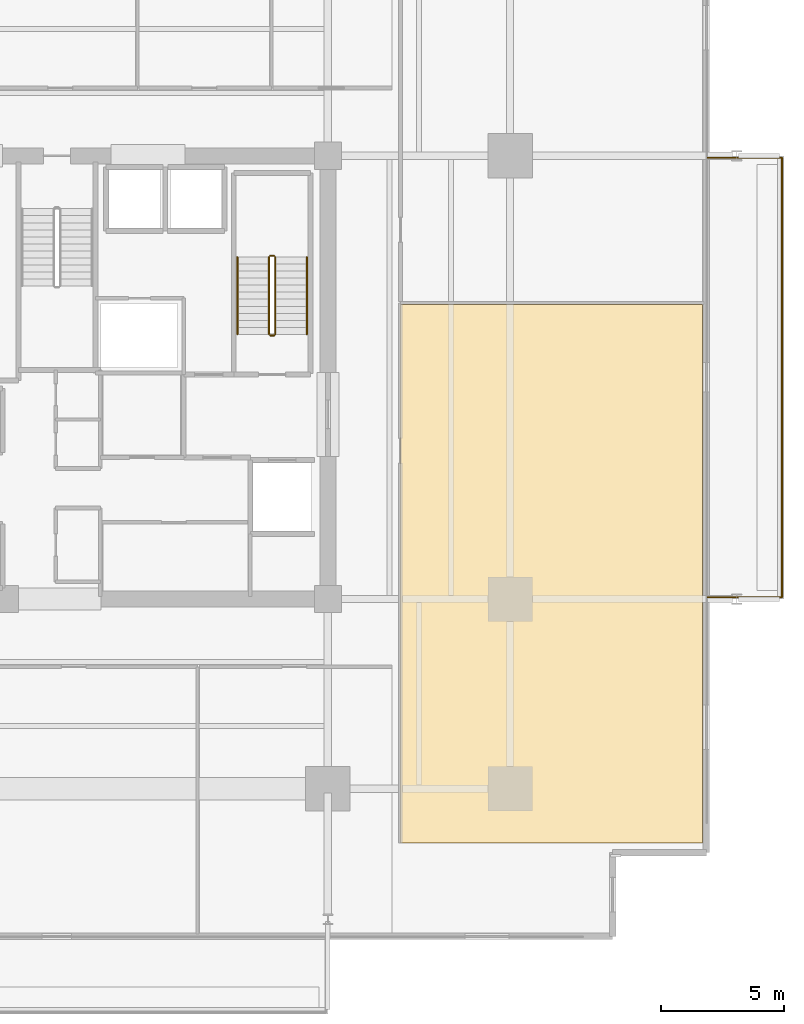
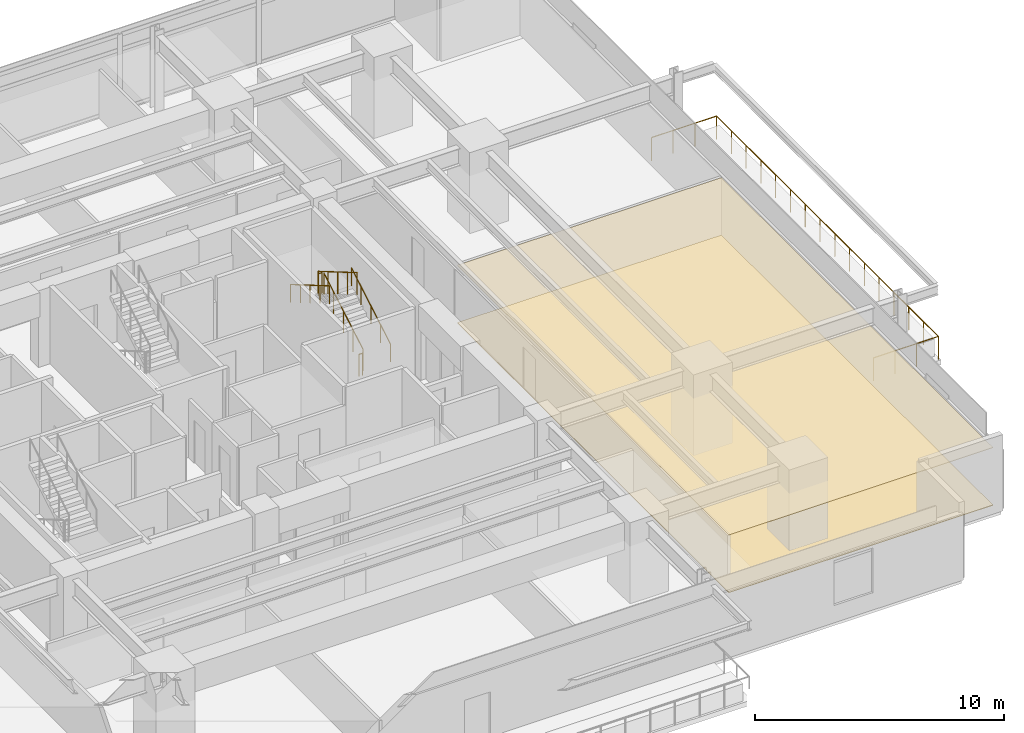
# One storey, part 21 of 23: 7 railings, 2 coverings.
"""IFC4 building model written with IfcOpenShell, lengths in metres."""

from ifc_helpers import new_model, si_unit, direction, frame, origin, origin_2d, place, context, subcontext, project, spatial, polyline, circle, outline, extrude, material, layer, layer_set, type_object, element, save


model = new_model("IFC4")

# Units and contexts
model_context = context("Model", 3, precision=1e-05, world=origin(), true_north=direction((0.0, 1.0)))
body_context = subcontext(model_context, "Body", "Model", "MODEL_VIEW")
ifc_project = project(units=[si_unit("LENGTHUNIT", "METRE"), si_unit("AREAUNIT", "SQUARE_METRE"), si_unit("VOLUMEUNIT", "CUBIC_METRE"), si_unit("PLANEANGLEUNIT", "RADIAN"), si_unit("MASSUNIT", "GRAM", prefix="KILO")], contexts=[model_context])

# Site, building, storey
site_placement = place(None, origin())
site = spatial("IfcSite", under=ifc_project, at=site_placement, CompositionType="ELEMENT")
building_placement = place(site_placement, origin())
building = spatial("IfcBuilding", under=site, at=building_placement, Name="Kovane Verandah Tower", CompositionType="ELEMENT")
storey_placement = place(building_placement, frame((0.0, 0.0, 91.60009765625)))
storey = spatial("IfcBuildingStorey", under=building, at=storey_placement, Name="L21", CompositionType="ELEMENT", Elevation=91.60009765625)

# Coverings
ifc_material_1 = material(Name="Perforated Acoustic Mineral-Fibre Ceiling Tile", Category="gypsum")
ifc_layer_1 = layer(ifc_material_1, 0.02490234375)
ifc_layer_set_1 = layer_set([ifc_layer_1], Name="Perforated Acoustic Mineral-Fibre Ceiling Tile")
covering_type_1 = type_object("IfcCoveringType", Name="CV-CEIL-25", PredefinedType="CEILING", material=ifc_layer_set_1)
covering_1_placement = place(storey_placement, frame((0.0, 0.0, 2.824951171875)))
element("IfcCovering", 1, at=covering_1_placement, inside=storey, type_object=covering_type_1, Name="L21 Document and Print Room E1 Acoustic Ceiling", PredefinedType="CEILING", context=body_context, shape_type="SweptSolid", body=[
    extrude(outline(polyline([(53.949951171875, 8.60498046875), (66.214111328125, 8.60498046875), (66.214111328125, 30.453125), (53.949951171875, 30.453125), (53.949951171875, 8.60498046875)])), origin(), (0.0, 0.0, 1.0), 0.02490234375),
])
ifc_material_2 = material(Name="Polished Terrazzo and Raised-Access Carpet Tile Finish", Category="concrete")
ifc_layer_2 = layer(ifc_material_2, 0.030029296875)
ifc_layer_set_2 = layer_set([ifc_layer_2], Name="Polished Terrazzo and Raised-Access Carpet Tile Finish")
covering_type_2 = type_object("IfcCoveringType", Name="CV-FLOR-30", PredefinedType="FLOORING", material=ifc_layer_set_2)
covering_2_placement = place(storey_placement, origin())
element("IfcCovering", 2, at=covering_2_placement, inside=storey, type_object=covering_type_2, Name="L21 Document and Print Room E1 Floor Finish", PredefinedType="FLOORING", context=body_context, shape_type="SweptSolid", body=[
    extrude(outline(polyline([(53.949951171875, 8.60498046875), (66.214111328125, 8.60498046875), (66.214111328125, 30.453125), (53.949951171875, 30.453125), (53.949951171875, 8.60498046875)])), origin(), (0.0, 0.0, 1.0), 0.02978515625),
])

# Railings
ifc_material_3 = material(Name="Laminated Glass and Pale-Champagne Stainless Balustrade", Category="glass")
railing_type_1 = type_object("IfcRailingType", Name="RL-BAL-1150", PredefinedType="BALUSTRADE", material=ifc_material_3)
railing_1_placement = place(storey_placement, frame((66.4140625, 18.580078125, 0.0)))
element("IfcRailing", 3, at=railing_1_placement, inside=storey, type_object=railing_type_1, Name="L21 E Verandah Glass Balustrade", PredefinedType="BALUSTRADE", context=body_context, shape_type="SweptSolid", body=[
    extrude(circle(Radius=0.02392578125, at=origin_2d()), frame((0.0, 0.0, 1.1259765625), z_axis=(1.0, 0.0, 0.0), x_axis=(0.0, 1.0, 0.0)), (0.0, 0.0, 1.0), 3.02001953125),
    extrude(circle(Radius=0.02392578125, at=origin_2d()), frame((3.02001953125, 0.0, 1.1259765625), z_axis=(0.0, 1.0, 0.0), x_axis=(-1.0, 0.0, 0.0)), (0.0, 0.0, 1.0), 17.83984375),
    extrude(circle(Radius=0.02392578125, at=origin_2d()), frame((3.02001953125, 17.83984375, 1.1259765625), z_axis=(-1.0, 0.0, 0.0), x_axis=(0.0, -1.0, 0.0)), (0.0, 0.0, 1.0), 3.02001953125),
    extrude(circle(Radius=0.02099609375, at=origin_2d()), origin(), (0.0, 0.0, 1.0), 1.101806640625),
    extrude(circle(Radius=0.02099609375, at=origin_2d()), frame((1.006591796875, 0.0, 0.0)), (0.0, 0.0, 1.0), 1.101806640625),
    extrude(circle(Radius=0.02099609375, at=origin_2d()), frame((2.013427734375, 0.0, 0.0)), (0.0, 0.0, 1.0), 1.101806640625),
    extrude(circle(Radius=0.02099609375, at=origin_2d()), frame((3.02001953125, 0.0, 0.0)), (0.0, 0.0, 1.0), 1.101806640625),
    extrude(circle(Radius=0.02099609375, at=origin_2d()), frame((3.02001953125, 1.189208984375, 0.0)), (0.0, 0.0, 1.0), 1.101806640625),
    extrude(circle(Radius=0.02099609375, at=origin_2d()), frame((3.02001953125, 2.378662109375, 0.0)), (0.0, 0.0, 1.0), 1.101806640625),
    extrude(circle(Radius=0.02099609375, at=origin_2d()), frame((3.02001953125, 3.56787109375, 0.0)), (0.0, 0.0, 1.0), 1.101806640625),
    extrude(circle(Radius=0.02099609375, at=origin_2d()), frame((3.02001953125, 4.75732421875, 0.0)), (0.0, 0.0, 1.0), 1.101806640625),
    extrude(circle(Radius=0.02099609375, at=origin_2d()), frame((3.02001953125, 5.946533203125, 0.0)), (0.0, 0.0, 1.0), 1.101806640625),
    extrude(circle(Radius=0.02099609375, at=origin_2d()), frame((3.02001953125, 7.135986328125, 0.0)), (0.0, 0.0, 1.0), 1.101806640625),
    extrude(circle(Radius=0.02099609375, at=origin_2d()), frame((3.02001953125, 8.3251953125, 0.0)), (0.0, 0.0, 1.0), 1.101806640625),
    extrude(circle(Radius=0.02099609375, at=origin_2d()), frame((3.02001953125, 9.5146484375, 0.0)), (0.0, 0.0, 1.0), 1.101806640625),
    extrude(circle(Radius=0.02099609375, at=origin_2d()), frame((3.02001953125, 10.703857421875, 0.0)), (0.0, 0.0, 1.0), 1.101806640625),
    extrude(circle(Radius=0.02099609375, at=origin_2d()), frame((3.02001953125, 11.893310546875, 0.0)), (0.0, 0.0, 1.0), 1.101806640625),
    extrude(circle(Radius=0.02099609375, at=origin_2d()), frame((3.02001953125, 13.08251953125, 0.0)), (0.0, 0.0, 1.0), 1.101806640625),
    extrude(circle(Radius=0.02099609375, at=origin_2d()), frame((3.02001953125, 14.27197265625, 0.0)), (0.0, 0.0, 1.0), 1.101806640625),
    extrude(circle(Radius=0.02099609375, at=origin_2d()), frame((3.02001953125, 15.461181640625, 0.0)), (0.0, 0.0, 1.0), 1.101806640625),
    extrude(circle(Radius=0.02099609375, at=origin_2d()), frame((3.02001953125, 16.650634765625, 0.0)), (0.0, 0.0, 1.0), 1.101806640625),
    extrude(circle(Radius=0.02099609375, at=origin_2d()), frame((3.02001953125, 17.83984375, 0.0)), (0.0, 0.0, 1.0), 1.101806640625),
    extrude(circle(Radius=0.02099609375, at=origin_2d()), frame((2.013427734375, 17.83984375, 0.0)), (0.0, 0.0, 1.0), 1.101806640625),
    extrude(circle(Radius=0.02099609375, at=origin_2d()), frame((1.006591796875, 17.83984375, 0.0)), (0.0, 0.0, 1.0), 1.101806640625),
    extrude(circle(Radius=0.02099609375, at=origin_2d()), frame((0.0, 17.83984375, 0.0)), (0.0, 0.0, 1.0), 1.101806640625),
])
ifc_material_4 = material(Name="Brushed Stainless Steel Handrail", Category="steel")
railing_type_2 = type_object("IfcRailingType", Name="RL-HAND-920", PredefinedType="HANDRAIL", material=ifc_material_4)
railing_2_placement = place(storey_placement, frame((50.14990234375, 29.25, 0.16650390625)))
element("IfcRailing", 4, at=railing_2_placement, inside=storey, type_object=railing_type_2, Name="L21 ST-02 stair handrail 1", PredefinedType="HANDRAIL", context=body_context, shape_type="SweptSolid", body=[
    extrude(circle(Radius=0.02392578125, at=origin_2d()), frame((0.0, 0.0, 0.8759765625), z_axis=(0.0, 0.863210265497, 0.504844567704), x_axis=(-1.0, 0.0, 0.0)), (0.0, 0.0, 1.0), 3.6318359375),
    extrude(circle(Radius=0.02099609375, at=origin_2d()), origin(), (0.0, 0.0, 1.0), 0.851806640625),
    extrude(circle(Radius=0.02099609375, at=origin_2d()), frame((0.0, 0.78369140625, 0.45849609375)), (0.0, 0.0, 1.0), 0.851806640625),
    extrude(circle(Radius=0.02099609375, at=origin_2d()), frame((0.0, 1.5673828125, 0.916748046875)), (0.0, 0.0, 1.0), 0.851806640625),
    extrude(circle(Radius=0.02099609375, at=origin_2d()), frame((0.0, 2.351318359375, 1.375)), (0.0, 0.0, 1.0), 0.851806640625),
    extrude(circle(Radius=0.02099609375, at=origin_2d()), frame((0.0, 3.135009765625, 1.83349609375)), (0.0, 0.0, 1.0), 0.851806640625),
])
railing_3_placement = place(storey_placement, frame((47.330078125, 32.385009765625, 2.16650390625)))
element("IfcRailing", 5, at=railing_3_placement, inside=storey, type_object=railing_type_2, Name="L21 ST-02 stair handrail 2", PredefinedType="HANDRAIL", context=body_context, shape_type="SweptSolid", body=[
    extrude(circle(Radius=0.02392578125, at=origin_2d()), frame((0.0, 0.0, 0.8759765625), z_axis=(0.0, -0.863210265497, 0.504844567704), x_axis=(1.0, 0.0, 0.0)), (0.0, 0.0, 1.0), 3.6318359375),
    extrude(circle(Radius=0.02099609375, at=origin_2d()), origin(), (0.0, 0.0, 1.0), 0.851806640625),
    extrude(circle(Radius=0.02099609375, at=origin_2d()), frame((0.0, -0.78369140625, 0.45849609375)), (0.0, 0.0, 1.0), 0.851806640625),
    extrude(circle(Radius=0.02099609375, at=origin_2d()), frame((0.0, -1.5673828125, 0.916748046875)), (0.0, 0.0, 1.0), 0.851806640625),
    extrude(circle(Radius=0.02099609375, at=origin_2d()), frame((0.0, -2.351318359375, 1.375)), (0.0, 0.0, 1.0), 0.851806640625),
    extrude(circle(Radius=0.02099609375, at=origin_2d()), frame((0.0, -3.135009765625, 1.83349609375)), (0.0, 0.0, 1.0), 0.851806640625),
])
ifc_material_5 = material(Name="Painted Steel Stairwell Guardrail", Category="steel")
railing_type_3 = type_object("IfcRailingType", Name="RL-STGUARD-1120", PredefinedType="GUARDRAIL", material=ifc_material_5)
railing_4_placement = place(storey_placement, frame((48.8701171875, 29.25, 0.16650390625)))
element("IfcRailing", 6, at=railing_4_placement, inside=storey, type_object=railing_type_3, Name="L21 ST-02 stair guard 1", PredefinedType="GUARDRAIL", context=body_context, shape_type="SweptSolid", body=[
    extrude(circle(Radius=0.02392578125, at=origin_2d()), frame((0.0, 0.0, 1.076171875), z_axis=(0.0, 0.863210265497, 0.504844567704), x_axis=(-1.0, 0.0, 0.0)), (0.0, 0.0, 1.0), 3.6318359375),
    extrude(circle(Radius=0.02099609375, at=origin_2d()), origin(), (0.0, 0.0, 1.0), 1.052001953125),
    extrude(circle(Radius=0.02099609375, at=origin_2d()), frame((0.0, 0.78369140625, 0.45849609375)), (0.0, 0.0, 1.0), 1.052001953125),
    extrude(circle(Radius=0.02099609375, at=origin_2d()), frame((0.0, 1.5673828125, 0.916748046875)), (0.0, 0.0, 1.0), 1.052001953125),
    extrude(circle(Radius=0.02099609375, at=origin_2d()), frame((0.0, 2.351318359375, 1.375)), (0.0, 0.0, 1.0), 1.052001953125),
    extrude(circle(Radius=0.02099609375, at=origin_2d()), frame((0.0, 3.135009765625, 1.83349609375)), (0.0, 0.0, 1.0), 1.052001953125),
])
railing_5_placement = place(storey_placement, frame((48.820068359375, 32.43505859375, 2.0)))
element("IfcRailing", 7, at=railing_5_placement, inside=storey, type_object=railing_type_3, Name="L21 ST-02 stair guard 2", PredefinedType="GUARDRAIL", context=body_context, shape_type="SweptSolid", body=[
    extrude(circle(Radius=0.02392578125, at=origin_2d()), frame((0.0, 0.0, 1.076171875), z_axis=(-1.0, 0.0, 0.0), x_axis=(0.0, -1.0, 0.0)), (0.0, 0.0, 1.0), 0.16015625),
    extrude(circle(Radius=0.02099609375, at=origin_2d()), origin(), (0.0, 0.0, 1.0), 1.052001953125),
    extrude(circle(Radius=0.02099609375, at=origin_2d()), frame((-0.16015625, 0.0, 0.0)), (0.0, 0.0, 1.0), 1.052001953125),
])
railing_6_placement = place(storey_placement, frame((48.610107421875, 32.385009765625, 2.16650390625)))
element("IfcRailing", 8, at=railing_6_placement, inside=storey, type_object=railing_type_3, Name="L21 ST-02 stair guard 3", PredefinedType="GUARDRAIL", context=body_context, shape_type="SweptSolid", body=[
    extrude(circle(Radius=0.02392578125, at=origin_2d()), frame((0.0, 0.0, 1.076171875), z_axis=(0.0, -0.863210265497, 0.504844567704), x_axis=(1.0, 0.0, 0.0)), (0.0, 0.0, 1.0), 3.6318359375),
    extrude(circle(Radius=0.02099609375, at=origin_2d()), origin(), (0.0, 0.0, 1.0), 1.052001953125),
    extrude(circle(Radius=0.02099609375, at=origin_2d()), frame((0.0, -0.78369140625, 0.45849609375)), (0.0, 0.0, 1.0), 1.052001953125),
    extrude(circle(Radius=0.02099609375, at=origin_2d()), frame((0.0, -1.5673828125, 0.916748046875)), (0.0, 0.0, 1.0), 1.052001953125),
    extrude(circle(Radius=0.02099609375, at=origin_2d()), frame((0.0, -2.351318359375, 1.375)), (0.0, 0.0, 1.0), 1.052001953125),
    extrude(circle(Radius=0.02099609375, at=origin_2d()), frame((0.0, -3.135009765625, 1.83349609375)), (0.0, 0.0, 1.0), 1.052001953125),
])
railing_7_placement = place(storey_placement, frame((48.820068359375, 29.199951171875, 0.0)))
element("IfcRailing", 9, at=railing_7_placement, inside=storey, type_object=railing_type_3, Name="L21 ST-02 stair guard 4", PredefinedType="GUARDRAIL", context=body_context, shape_type="SweptSolid", body=[
    extrude(circle(Radius=0.02392578125, at=origin_2d()), frame((0.0, 0.0, 1.076171875), z_axis=(-1.0, 0.0, 0.0), x_axis=(0.0, -1.0, 0.0)), (0.0, 0.0, 1.0), 0.16015625),
    extrude(circle(Radius=0.02099609375, at=origin_2d()), origin(), (0.0, 0.0, 1.0), 1.052001953125),
    extrude(circle(Radius=0.02099609375, at=origin_2d()), frame((-0.16015625, 0.0, 0.0)), (0.0, 0.0, 1.0), 1.052001953125),
])

save(model, "model.ifc")
